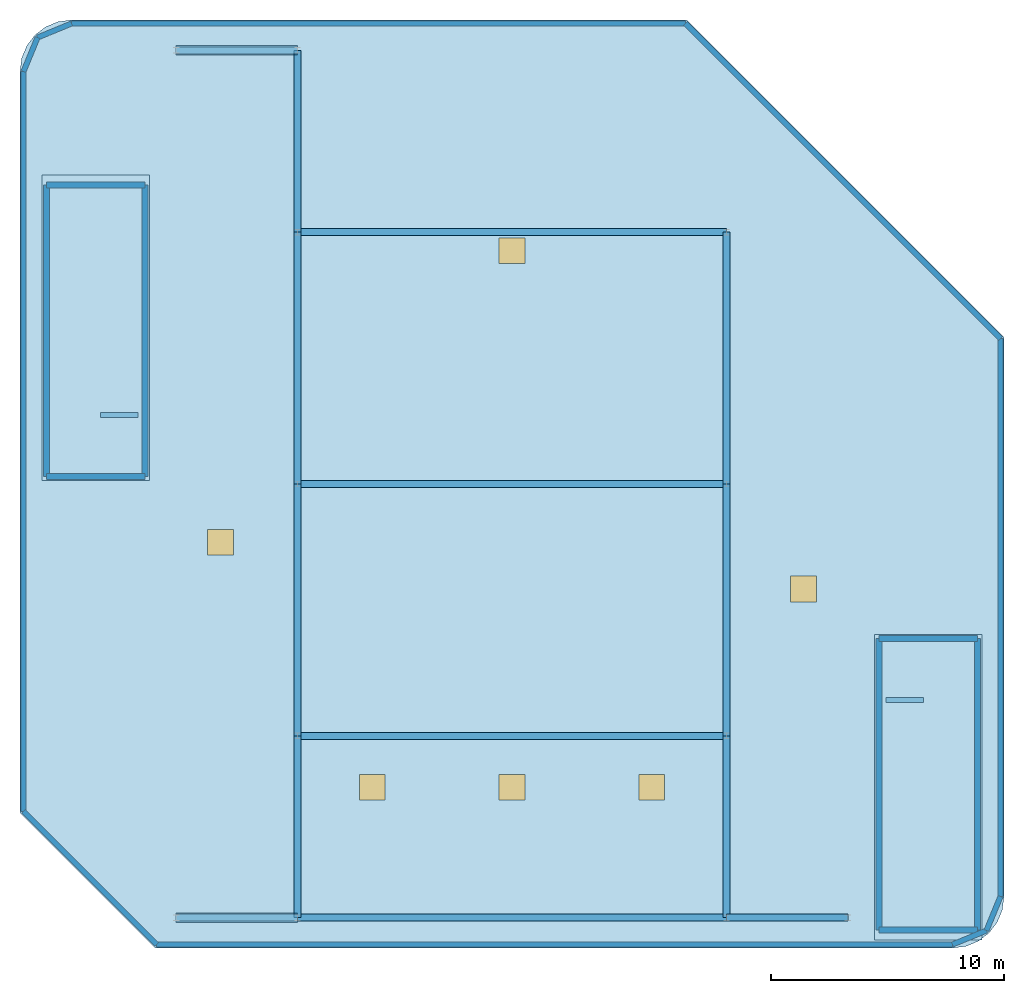
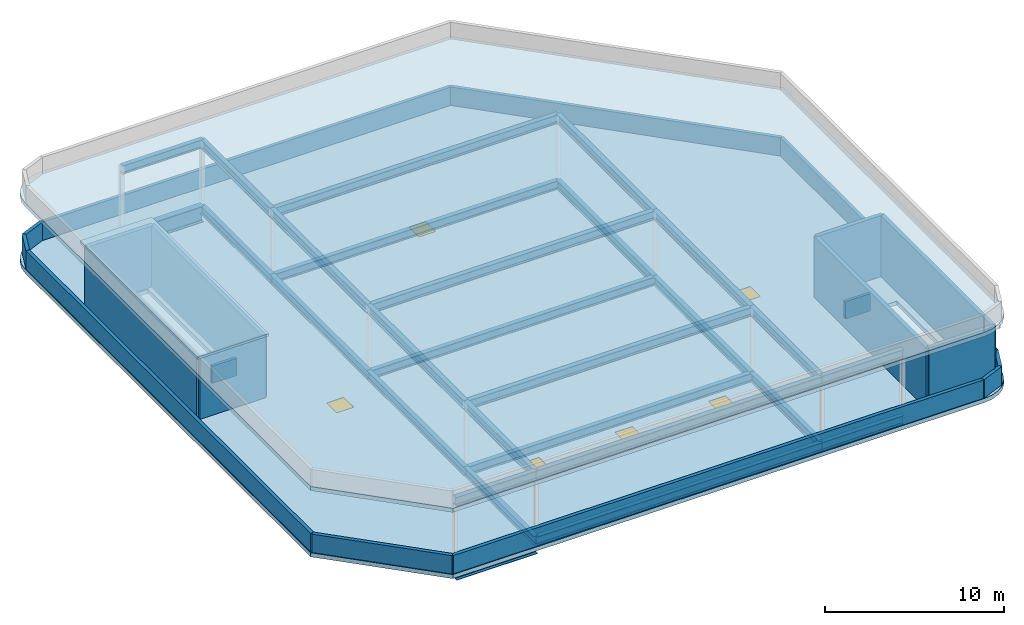
# One storey, part 5 of 6: 28 beams, 20 walls, 6 doors, 3 plates, 1 slab, 6 openings.
"""IFC4 building model written with IfcOpenShell, lengths in metres."""

from ifc_helpers import new_model, si_unit, direction, frame, frame_2d, origin, origin_2d, place, context, subcontext, project, spatial, polyline, rectangle, i_section, outline, extrude, material, layer, layer_set, material_profile, profile_set, type_object, element, fill, save


model = new_model("IFC4")

# Units and contexts
model_context = context("Model", 3, precision=1e-05, world=origin(), true_north=direction((0.0, 1.0)))
body_context = subcontext(model_context, "Body", "Model", "MODEL_VIEW")
ifc_project = project(units=[si_unit("LENGTHUNIT", "METRE"), si_unit("AREAUNIT", "SQUARE_METRE"), si_unit("VOLUMEUNIT", "CUBIC_METRE"), si_unit("PLANEANGLEUNIT", "RADIAN"), si_unit("MASSUNIT", "GRAM", prefix="KILO")], contexts=[model_context])

# Site, building, storey
site_placement = place(None, origin())
site = spatial("IfcSite", under=ifc_project, at=site_placement, CompositionType="ELEMENT")
building_placement = place(site_placement, origin())
building = spatial("IfcBuilding", under=site, at=building_placement, Name="Khairoan Windgate Tower", CompositionType="ELEMENT")
storey_placement = place(building_placement, frame((0.0, 0.0, 339.5)))
storey = spatial("IfcBuildingStorey", under=building, at=storey_placement, Name="L81", CompositionType="ELEMENT", Elevation=339.5)

# Beams
ifc_material_1 = material(Name="Steel S355", Category="steel")
ifc_material_profile_1 = material_profile(ifc_material_1, i_section(OverallWidth=0.300048828125, OverallDepth=0.587890625, WebThickness=0.011962890625, FlangeThickness=0.02001953125, FilletRadius=0.02392578125, at=origin_2d()))
ifc_profile_set_1 = profile_set([ifc_material_profile_1], Name="Steel S355")
beam_type_1 = type_object("IfcBeamType", Name="Beam B-G4 H588x300x12x20", PredefinedType="BEAM", material=ifc_profile_set_1)
for number, where, z_axis, x_axis, name in (
    (1, (-14.39990234375, -18.60009765625, 3.926025390625), (1.0, 0.0, 0.0), (0.0, 1.0, 0.0), "Sculpted Crown Frame Ring Girder L81-01"),
    (2, (-14.39990234375, 18.60009765625, 3.926025390625), (1.0, 0.0, 0.0), (0.0, 1.0, 0.0), "Sculpted Crown Frame Ring Girder L81-02"),
):
    element("IfcBeam", number, at=place(storey_placement, frame(where, z_axis=z_axis, x_axis=x_axis)), inside=storey, type_object=beam_type_1, Name=name, PredefinedType="BEAM", context=body_context, shape_type="SweptSolid", body=[
        extrude(i_section(OverallWidth=0.300048828125, OverallDepth=0.587890625, WebThickness=0.011962890625, FlangeThickness=0.02001953125, FilletRadius=0.02392578125, at=origin_2d()), origin(), (0.0, 0.0, 1.0), 5.199951171875),
    ])
for number, where, z_axis, x_axis, name in (
    (3, (-9.199951171875, -18.60009765625, -0.573974609375), (0.0, 1.0, 0.0), (-1.0, 0.0, 0.0), "Roof Deck Girder L81-03"),
    (4, (-9.199951171875, -18.60009765625, 3.926025390625), (0.0, 1.0, 0.0), (-1.0, 0.0, 0.0), "Sculpted Crown Frame Ring Girder L81-03"),
):
    element("IfcBeam", number, at=place(storey_placement, frame(where, z_axis=z_axis, x_axis=x_axis)), inside=storey, type_object=beam_type_1, Name=name, PredefinedType="BEAM", context=body_context, shape_type="SweptSolid", body=[
        extrude(i_section(OverallWidth=0.300048828125, OverallDepth=0.587890625, WebThickness=0.011962890625, FlangeThickness=0.02001953125, FilletRadius=0.02392578125, at=origin_2d()), origin(), (0.0, 0.0, 1.0), 7.800048828125),
    ])
for number, where, z_axis, x_axis, name in (
    (5, (-9.199951171875, -18.60009765625, -0.573974609375), (1.0, 0.0, 0.0), (0.0, 1.0, 0.0), "Roof Deck Girder L81-04"),
    (6, (-9.199951171875, -18.60009765625, 3.926025390625), (1.0, 0.0, 0.0), (0.0, 1.0, 0.0), "Sculpted Crown Frame Ring Girder L81-04"),
):
    element("IfcBeam", number, at=place(storey_placement, frame(where, z_axis=z_axis, x_axis=x_axis)), inside=storey, type_object=beam_type_1, Name=name, PredefinedType="BEAM", context=body_context, shape_type="SweptSolid", body=[
        extrude(i_section(OverallWidth=0.300048828125, OverallDepth=0.587890625, WebThickness=0.011962890625, FlangeThickness=0.02001953125, FilletRadius=0.02392578125, at=origin_2d()), origin(), (0.0, 0.0, 1.0), 18.39990234375),
    ])
for number, where, z_axis, x_axis, name in (
    (7, (-9.199951171875, -10.800048828125, -0.573974609375), (0.0, 1.0, 0.0), (-1.0, 0.0, 0.0), "Roof Deck Girder L81-05"),
    (8, (-9.199951171875, -10.800048828125, 3.926025390625), (0.0, 1.0, 0.0), (-1.0, 0.0, 0.0), "Sculpted Crown Frame Ring Girder L81-05"),
):
    element("IfcBeam", number, at=place(storey_placement, frame(where, z_axis=z_axis, x_axis=x_axis)), inside=storey, type_object=beam_type_1, Name=name, PredefinedType="BEAM", context=body_context, shape_type="SweptSolid", body=[
        extrude(i_section(OverallWidth=0.300048828125, OverallDepth=0.587890625, WebThickness=0.011962890625, FlangeThickness=0.02001953125, FilletRadius=0.02392578125, at=origin_2d()), origin(), (0.0, 0.0, 1.0), 10.800048828125),
    ])
for number, where, z_axis, x_axis, name in (
    (9, (-9.199951171875, -10.800048828125, -0.573974609375), (1.0, 0.0, 0.0), (0.0, 1.0, 0.0), "Roof Deck Girder L81-06"),
    (10, (-9.199951171875, -10.800048828125, 3.926025390625), (1.0, 0.0, 0.0), (0.0, 1.0, 0.0), "Sculpted Crown Frame Ring Girder L81-06"),
):
    element("IfcBeam", number, at=place(storey_placement, frame(where, z_axis=z_axis, x_axis=x_axis)), inside=storey, type_object=beam_type_1, Name=name, PredefinedType="BEAM", context=body_context, shape_type="SweptSolid", body=[
        extrude(i_section(OverallWidth=0.300048828125, OverallDepth=0.587890625, WebThickness=0.011962890625, FlangeThickness=0.02001953125, FilletRadius=0.02392578125, at=origin_2d()), origin(), (0.0, 0.0, 1.0), 18.39990234375),
    ])
for number, where, z_axis, x_axis, name in (
    (11, (-9.199951171875, 0.0, -0.573974609375), (0.0, 1.0, 0.0), (-1.0, 0.0, 0.0), "Roof Deck Girder L81-07"),
    (12, (-9.199951171875, 0.0, 3.926025390625), (0.0, 1.0, 0.0), (-1.0, 0.0, 0.0), "Sculpted Crown Frame Ring Girder L81-07"),
):
    element("IfcBeam", number, at=place(storey_placement, frame(where, z_axis=z_axis, x_axis=x_axis)), inside=storey, type_object=beam_type_1, Name=name, PredefinedType="BEAM", context=body_context, shape_type="SweptSolid", body=[
        extrude(i_section(OverallWidth=0.300048828125, OverallDepth=0.587890625, WebThickness=0.011962890625, FlangeThickness=0.02001953125, FilletRadius=0.02392578125, at=origin_2d()), origin(), (0.0, 0.0, 1.0), 10.800048828125),
    ])
for number, where, z_axis, x_axis, name in (
    (13, (-9.199951171875, 0.0, -0.573974609375), (1.0, 0.0, 0.0), (0.0, 1.0, 0.0), "Roof Deck Girder L81-08"),
    (14, (-9.199951171875, 0.0, 3.926025390625), (1.0, 0.0, 0.0), (0.0, 1.0, 0.0), "Sculpted Crown Frame Ring Girder L81-08"),
):
    element("IfcBeam", number, at=place(storey_placement, frame(where, z_axis=z_axis, x_axis=x_axis)), inside=storey, type_object=beam_type_1, Name=name, PredefinedType="BEAM", context=body_context, shape_type="SweptSolid", body=[
        extrude(i_section(OverallWidth=0.300048828125, OverallDepth=0.587890625, WebThickness=0.011962890625, FlangeThickness=0.02001953125, FilletRadius=0.02392578125, at=origin_2d()), origin(), (0.0, 0.0, 1.0), 18.39990234375),
    ])
for number, where, z_axis, x_axis, name in (
    (15, (-9.199951171875, 10.800048828125, -0.573974609375), (0.0, 1.0, 0.0), (-1.0, 0.0, 0.0), "Roof Deck Girder L81-09"),
    (16, (-9.199951171875, 10.800048828125, 3.926025390625), (0.0, 1.0, 0.0), (-1.0, 0.0, 0.0), "Sculpted Crown Frame Ring Girder L81-09"),
):
    element("IfcBeam", number, at=place(storey_placement, frame(where, z_axis=z_axis, x_axis=x_axis)), inside=storey, type_object=beam_type_1, Name=name, PredefinedType="BEAM", context=body_context, shape_type="SweptSolid", body=[
        extrude(i_section(OverallWidth=0.300048828125, OverallDepth=0.587890625, WebThickness=0.011962890625, FlangeThickness=0.02001953125, FilletRadius=0.02392578125, at=origin_2d()), origin(), (0.0, 0.0, 1.0), 7.800048828125),
    ])
for number, where, z_axis, x_axis, name in (
    (17, (-9.199951171875, 10.800048828125, -0.573974609375), (1.0, 0.0, 0.0), (0.0, 1.0, 0.0), "Roof Deck Girder L81-10"),
    (18, (-9.199951171875, 10.800048828125, 3.926025390625), (1.0, 0.0, 0.0), (0.0, 1.0, 0.0), "Sculpted Crown Frame Ring Girder L81-10"),
):
    element("IfcBeam", number, at=place(storey_placement, frame(where, z_axis=z_axis, x_axis=x_axis)), inside=storey, type_object=beam_type_1, Name=name, PredefinedType="BEAM", context=body_context, shape_type="SweptSolid", body=[
        extrude(i_section(OverallWidth=0.300048828125, OverallDepth=0.587890625, WebThickness=0.011962890625, FlangeThickness=0.02001953125, FilletRadius=0.02392578125, at=origin_2d()), origin(), (0.0, 0.0, 1.0), 18.39990234375),
    ])
for number, where, z_axis, x_axis, name in (
    (19, (9.199951171875, -18.60009765625, -0.573974609375), (0.0, 1.0, 0.0), (-1.0, 0.0, 0.0), "Roof Deck Girder L81-11"),
    (20, (9.199951171875, -18.60009765625, 3.926025390625), (0.0, 1.0, 0.0), (-1.0, 0.0, 0.0), "Sculpted Crown Frame Ring Girder L81-11"),
):
    element("IfcBeam", number, at=place(storey_placement, frame(where, z_axis=z_axis, x_axis=x_axis)), inside=storey, type_object=beam_type_1, Name=name, PredefinedType="BEAM", context=body_context, shape_type="SweptSolid", body=[
        extrude(i_section(OverallWidth=0.300048828125, OverallDepth=0.587890625, WebThickness=0.011962890625, FlangeThickness=0.02001953125, FilletRadius=0.02392578125, at=origin_2d()), origin(), (0.0, 0.0, 1.0), 7.800048828125),
    ])
for number, where, z_axis, x_axis, name in (
    (21, (9.199951171875, -18.60009765625, -0.573974609375), (1.0, 0.0, 0.0), (0.0, 1.0, 0.0), "Roof Deck Girder L81-12"),
    (22, (9.199951171875, -18.60009765625, 3.926025390625), (1.0, 0.0, 0.0), (0.0, 1.0, 0.0), "Sculpted Crown Frame Ring Girder L81-12"),
):
    element("IfcBeam", number, at=place(storey_placement, frame(where, z_axis=z_axis, x_axis=x_axis)), inside=storey, type_object=beam_type_1, Name=name, PredefinedType="BEAM", context=body_context, shape_type="SweptSolid", body=[
        extrude(i_section(OverallWidth=0.300048828125, OverallDepth=0.587890625, WebThickness=0.011962890625, FlangeThickness=0.02001953125, FilletRadius=0.02392578125, at=origin_2d()), origin(), (0.0, 0.0, 1.0), 5.199951171875),
    ])
for number, where, z_axis, x_axis, name in (
    (23, (9.199951171875, -10.800048828125, -0.573974609375), (0.0, 1.0, 0.0), (-1.0, 0.0, 0.0), "Roof Deck Girder L81-13"),
    (24, (9.199951171875, -10.800048828125, 3.926025390625), (0.0, 1.0, 0.0), (-1.0, 0.0, 0.0), "Sculpted Crown Frame Ring Girder L81-13"),
    (25, (9.199951171875, 0.0, -0.573974609375), (0.0, 1.0, 0.0), (-1.0, 0.0, 0.0), "Roof Deck Girder L81-14"),
    (26, (9.199951171875, 0.0, 3.926025390625), (0.0, 1.0, 0.0), (-1.0, 0.0, 0.0), "Sculpted Crown Frame Ring Girder L81-14"),
):
    element("IfcBeam", number, at=place(storey_placement, frame(where, z_axis=z_axis, x_axis=x_axis)), inside=storey, type_object=beam_type_1, Name=name, PredefinedType="BEAM", context=body_context, shape_type="SweptSolid", body=[
        extrude(i_section(OverallWidth=0.300048828125, OverallDepth=0.587890625, WebThickness=0.011962890625, FlangeThickness=0.02001953125, FilletRadius=0.02392578125, at=origin_2d()), origin(), (0.0, 0.0, 1.0), 10.800048828125),
    ])
ifc_material_2 = material(Name="Steel S355", Category="steel")
ifc_material_profile_2 = material_profile(ifc_material_2, i_section(OverallWidth=0.39990234375, OverallDepth=1.10009765625, WebThickness=0.02001953125, FlangeThickness=0.035888671875, FilletRadius=0.02392578125, at=origin_2d()))
ifc_profile_set_2 = profile_set([ifc_material_profile_2], Name="Steel S355")
beam_type_2 = type_object("IfcBeamType", Name="Crown Canopy Spine Girder CG1 PG1100x400x20x36", PredefinedType="BEAM", material=ifc_profile_set_2)
for number, where, z_axis, x_axis, name in (
    (27, (-14.39990234375, -18.60009765625, -0.830078125), (1.0, 0.0, 0.0), (0.0, 1.0, 0.0), "Roof Deck Girder L81-01"),
    (28, (-14.39990234375, 18.60009765625, -0.830078125), (1.0, 0.0, 0.0), (0.0, 1.0, 0.0), "Roof Deck Girder L81-02"),
):
    element("IfcBeam", number, at=place(storey_placement, frame(where, z_axis=z_axis, x_axis=x_axis)), inside=storey, type_object=beam_type_2, Name=name, PredefinedType="BEAM", context=body_context, shape_type="SweptSolid", body=[
        extrude(i_section(OverallWidth=0.39990234375, OverallDepth=1.10009765625, WebThickness=0.02001953125, FlangeThickness=0.035888671875, FilletRadius=0.02392578125, at=origin_2d()), origin(), (0.0, 0.0, 1.0), 5.199951171875),
    ])

# Slab, openings, doors
ifc_material_3 = material(Name="Concrete C40/50", Category="concrete")
ifc_layer_1 = layer(ifc_material_3, 0.280029296875, Name="Concrete C40/50")
ifc_layer_set_1 = layer_set([ifc_layer_1], Name="Concrete C40/50")
slab_type = type_object("IfcSlabType", Name="Crown Canopy Roof Slab RS2 280mm", PredefinedType="ROOF", material=ifc_layer_set_1)
slab_placement = place(storey_placement, frame((0.0, 0.0, -0.280029296875)))
slab = element("IfcSlab", 29, at=slab_placement, inside=storey, type_object=slab_type, Name="Crown Lookout Canopy Roof Slab", PredefinedType="ROOF", context=body_context, shape_type="SweptSolid", body=[
    extrude(outline(polyline([(18.89990234375, -19.89990234375), (19.469482421875, -19.824951171875), (20.0, -19.605224609375), (20.45556640625, -19.255615234375), (20.805419921875, -18.800048828125), (21.02490234375, -18.269287109375), (21.10009765625, -17.699951171875), (21.10009765625, 6.300048828125), (7.5, 19.89990234375), (-18.89990234375, 19.89990234375), (-19.469482421875, 19.824951171875), (-20.0, 19.605224609375), (-20.45556640625, 19.255615234375), (-20.805419921875, 18.800048828125), (-21.02490234375, 18.269287109375), (-21.10009765625, 17.699951171875), (-21.10009765625, -14.10009765625), (-15.300048828125, -19.89990234375), (18.89990234375, -19.89990234375)]), holes=[polyline([(16.14990234375, -9.260009765625), (16.14990234375, -18.89990234375), (19.419921875, -18.89990234375), (19.419921875, -9.260009765625), (16.14990234375, -9.260009765625)]), polyline([(-16.14990234375, 2.9599609375), (-16.14990234375, 12.60009765625), (-19.419921875, 12.60009765625), (-19.419921875, 2.9599609375), (-16.14990234375, 2.9599609375)])]), origin(), (0.0, 0.0, 1.0), 0.280029296875),
])
opening_1_placement = place(slab_placement, frame((12.5, -4.5, -0.010009765625)))
opening_1 = element("IfcOpeningElement", 30, at=opening_1_placement, cuts=slab, Name="Opening RHD1", PredefinedType="OPENING", context=body_context, shape_type="SweptSolid", body=[
    extrude(rectangle(XDim=1.10009765625, YDim=1.10009765625, at=origin_2d()), origin(), (0.0, 0.0, 1.0), 0.300048828125),
])
opening_2_placement = place(slab_placement, frame((-12.5, -2.5, -0.010009765625)))
opening_2 = element("IfcOpeningElement", 31, at=opening_2_placement, cuts=slab, Name="Opening RHD1", PredefinedType="OPENING", context=body_context, shape_type="SweptSolid", body=[
    extrude(rectangle(XDim=1.10009765625, YDim=1.10009765625, at=origin_2d()), origin(), (0.0, 0.0, 1.0), 0.300048828125),
])
opening_3_placement = place(slab_placement, frame((0.0, -13.0, -0.010009765625)))
opening_3 = element("IfcOpeningElement", 32, at=opening_3_placement, cuts=slab, Name="Opening RHD1", PredefinedType="OPENING", context=body_context, shape_type="SweptSolid", body=[
    extrude(rectangle(XDim=1.10009765625, YDim=1.10009765625, at=origin_2d()), origin(), (0.0, 0.0, 1.0), 0.300048828125),
])
opening_4_placement = place(slab_placement, frame((-6.0, -13.0, -0.010009765625)))
opening_4 = element("IfcOpeningElement", 33, at=opening_4_placement, cuts=slab, Name="Opening RHD1", PredefinedType="OPENING", context=body_context, shape_type="SweptSolid", body=[
    extrude(rectangle(XDim=1.10009765625, YDim=1.10009765625, at=origin_2d()), origin(), (0.0, 0.0, 1.0), 0.300048828125),
])
opening_5_placement = place(slab_placement, frame((6.0, -13.0, -0.010009765625)))
opening_5 = element("IfcOpeningElement", 34, at=opening_5_placement, cuts=slab, Name="Opening RHD1", PredefinedType="OPENING", context=body_context, shape_type="SweptSolid", body=[
    extrude(rectangle(XDim=1.10009765625, YDim=1.10009765625, at=origin_2d()), origin(), (0.0, 0.0, 1.0), 0.300048828125),
])
opening_6_placement = place(slab_placement, frame((0.0, 10.0, -0.010009765625)))
opening_6 = element("IfcOpeningElement", 35, at=opening_6_placement, cuts=slab, Name="Opening RHD1", PredefinedType="OPENING", context=body_context, shape_type="SweptSolid", body=[
    extrude(rectangle(XDim=1.10009765625, YDim=1.10009765625, at=origin_2d()), origin(), (0.0, 0.0, 1.0), 0.300048828125),
])
ifc_material_4 = material(Name="Steel S355", Category="steel")
door_type = type_object("IfcDoorType", Name="Roof Maintenance Access Hatch Door RHD-1", OperationType="SINGLE_SWING_LEFT", PredefinedType="TRAPDOOR", material=ifc_material_4)
door_1_placement = place(opening_1_placement, frame((0.0, 0.0, 0.25)))
door_1 = element("IfcDoor", 36, at=door_1_placement, inside=storey, type_object=door_type, Name="Roof Maintenance Access Hatch 01", OperationType="SINGLE_SWING_LEFT", OverallHeight=1.10009765625, OverallWidth=1.10009765625, PredefinedType="TRAPDOOR", context=body_context, shape_type="SweptSolid", body=[
    extrude(rectangle(XDim=1.10009765625, YDim=1.10009765625, at=origin_2d()), origin(), (0.0, 0.0, 1.0), 0.030029296875),
])
fill(opening_1, door_1)
door_2_placement = place(opening_2_placement, frame((0.0, 0.0, 0.25)))
door_2 = element("IfcDoor", 37, at=door_2_placement, inside=storey, type_object=door_type, Name="Roof Maintenance Access Hatch 02", OperationType="SINGLE_SWING_LEFT", OverallHeight=1.10009765625, OverallWidth=1.10009765625, PredefinedType="TRAPDOOR", context=body_context, shape_type="SweptSolid", body=[
    extrude(rectangle(XDim=1.10009765625, YDim=1.10009765625, at=origin_2d()), origin(), (0.0, 0.0, 1.0), 0.030029296875),
])
fill(opening_2, door_2)
door_3_placement = place(opening_3_placement, frame((0.0, 0.0, 0.25)))
door_3 = element("IfcDoor", 38, at=door_3_placement, inside=storey, type_object=door_type, Name="Roof Maintenance Access Hatch 03", OperationType="SINGLE_SWING_LEFT", OverallHeight=1.10009765625, OverallWidth=1.10009765625, PredefinedType="TRAPDOOR", context=body_context, shape_type="SweptSolid", body=[
    extrude(rectangle(XDim=1.10009765625, YDim=1.10009765625, at=origin_2d()), origin(), (0.0, 0.0, 1.0), 0.030029296875),
])
fill(opening_3, door_3)
door_4_placement = place(opening_4_placement, frame((0.0, 0.0, 0.25)))
door_4 = element("IfcDoor", 39, at=door_4_placement, inside=storey, type_object=door_type, Name="Roof Maintenance Access Hatch 04", OperationType="SINGLE_SWING_LEFT", OverallHeight=1.10009765625, OverallWidth=1.10009765625, PredefinedType="TRAPDOOR", context=body_context, shape_type="SweptSolid", body=[
    extrude(rectangle(XDim=1.10009765625, YDim=1.10009765625, at=origin_2d()), origin(), (0.0, 0.0, 1.0), 0.030029296875),
])
fill(opening_4, door_4)
door_5_placement = place(opening_5_placement, frame((0.0, 0.0, 0.25)))
door_5 = element("IfcDoor", 40, at=door_5_placement, inside=storey, type_object=door_type, Name="Roof Maintenance Access Hatch 05", OperationType="SINGLE_SWING_LEFT", OverallHeight=1.10009765625, OverallWidth=1.10009765625, PredefinedType="TRAPDOOR", context=body_context, shape_type="SweptSolid", body=[
    extrude(rectangle(XDim=1.10009765625, YDim=1.10009765625, at=origin_2d()), origin(), (0.0, 0.0, 1.0), 0.030029296875),
])
fill(opening_5, door_5)
door_6_placement = place(opening_6_placement, frame((0.0, 0.0, 0.25)))
door_6 = element("IfcDoor", 41, at=door_6_placement, inside=storey, type_object=door_type, Name="Roof Maintenance Access Hatch 06", OperationType="SINGLE_SWING_LEFT", OverallHeight=1.10009765625, OverallWidth=1.10009765625, PredefinedType="TRAPDOOR", context=body_context, shape_type="SweptSolid", body=[
    extrude(rectangle(XDim=1.10009765625, YDim=1.10009765625, at=origin_2d()), origin(), (0.0, 0.0, 1.0), 0.030029296875),
])
fill(opening_6, door_6)

# Plates
ifc_material_5 = material(Name="Steel S355", Category="steel")
ifc_layer_2 = layer(ifc_material_5, 0.031982421875, Name="Steel S355")
ifc_layer_set_2 = layer_set([ifc_layer_2], Name="Steel S355")
plate_type = type_object("IfcPlateType", Name="Outrigger Node Gusset Plate PL-GUS32", PredefinedType="SHEET", material=ifc_layer_set_2)
plate_1_placement = place(storey_placement, frame((0.0, 0.0, 4.14990234375)))
element("IfcPlate", 42, at=plate_1_placement, inside=storey, type_object=plate_type, Name="L81 ST1 Stair Headhouse Steel Hood Plate", PredefinedType="SHEET", context=body_context, shape_type="SweptSolid", body=[
    extrude(outline(polyline([(15.550048828125, -19.550048828125), (20.14990234375, -19.550048828125), (20.14990234375, -6.449951171875), (15.550048828125, -6.449951171875), (15.550048828125, -19.550048828125)])), origin(), (0.0, 0.0, 1.0), 0.170166015625),
])
plate_2_placement = place(storey_placement, frame((0.0, 0.0, 4.14990234375)))
element("IfcPlate", 43, at=plate_2_placement, inside=storey, type_object=plate_type, Name="L81 ST2 Stair Headhouse Steel Hood Plate", PredefinedType="SHEET", context=body_context, shape_type="SweptSolid", body=[
    extrude(outline(polyline([(-20.14990234375, 0.14990234375), (-15.550048828125, 0.14990234375), (-15.550048828125, 13.25), (-20.14990234375, 13.25), (-20.14990234375, 0.14990234375)])), origin(), (0.0, 0.0, 1.0), 0.170166015625),
])
plate_3_placement = place(storey_placement, frame((0.0, 0.0, 4.219970703125)))
element("IfcPlate", 44, at=plate_3_placement, inside=storey, type_object=plate_type, Name="Crown Architectural Steel Canopy Deck Plate", PredefinedType="SHEET", context=body_context, shape_type="SweptSolid", body=[
    extrude(outline(polyline([(18.89990234375, -19.89990234375), (19.469482421875, -19.824951171875), (20.0, -19.605224609375), (20.45556640625, -19.255615234375), (20.805419921875, -18.800048828125), (21.02490234375, -18.269287109375), (21.10009765625, -17.699951171875), (21.10009765625, 6.300048828125), (7.5, 19.89990234375), (-18.89990234375, 19.89990234375), (-19.469482421875, 19.824951171875), (-20.0, 19.605224609375), (-20.45556640625, 19.255615234375), (-20.805419921875, 18.800048828125), (-21.02490234375, 18.269287109375), (-21.10009765625, 17.699951171875), (-21.10009765625, -14.10009765625), (-15.300048828125, -19.89990234375), (18.89990234375, -19.89990234375)])), origin(), (0.0, 0.0, 1.0), 0.280029296875),
])

# Walls
ifc_material_6 = material(Name="Precast Concrete C40/50", Category="concrete")
ifc_layer_3 = layer(ifc_material_6, 0.260009765625, Name="Precast Concrete C40/50")
ifc_layer_set_3 = layer_set([ifc_layer_3], Name="Precast Concrete C40/50")
wall_type_1 = type_object("IfcWallType", Name="Insulated Tower Facade Wall EW2 260mm", PredefinedType="STANDARD", material=ifc_layer_set_3)
wall_1_placement = place(storey_placement, frame((15.72998046875, -19.1201171875, 0.0), z_axis=(0.0, 0.0, 1.0), x_axis=(1.0, 0.0, 0.0)))
element("IfcWall", 45, at=wall_1_placement, inside=storey, type_object=wall_type_1, Name="L81 ST1 Stair Headhouse Wall 1", PredefinedType="STANDARD", context=body_context, shape_type="SweptSolid", body=[
    extrude(rectangle(XDim=4.239990234375, YDim=0.260009765625, at=frame_2d((2.1201171875, 0.0))), origin(), (0.0, 0.0, 1.0), 4.14990234375),
])
wall_2_placement = place(storey_placement, frame((19.969970703125, -19.1201171875, 0.0), z_axis=(0.0, 0.0, 1.0), x_axis=(0.0, 1.0, 0.0)))
element("IfcWall", 46, at=wall_2_placement, inside=storey, type_object=wall_type_1, Name="L81 ST1 Stair Headhouse Wall 2", PredefinedType="STANDARD", context=body_context, shape_type="SweptSolid", body=[
    extrude(rectangle(XDim=12.490234375, YDim=0.260009765625, at=frame_2d((6.2451171875, 0.0))), origin(), (0.0, 0.0, 1.0), 4.14990234375),
])
wall_3_placement = place(storey_placement, frame((19.969970703125, -6.6298828125, 0.0), z_axis=(0.0, 0.0, 1.0), x_axis=(-1.0, 0.0, 0.0)))
element("IfcWall", 47, at=wall_3_placement, inside=storey, type_object=wall_type_1, Name="L81 ST1 Stair Headhouse Wall 3", PredefinedType="STANDARD", context=body_context, shape_type="SweptSolid", body=[
    extrude(rectangle(XDim=4.239990234375, YDim=0.260009765625, at=frame_2d((2.1201171875, 0.0))), origin(), (0.0, 0.0, 1.0), 4.14990234375),
])
wall_4_placement = place(storey_placement, frame((15.72998046875, -6.6298828125, 0.0), z_axis=(0.0, 0.0, 1.0), x_axis=(0.0, -1.0, 0.0)))
element("IfcWall", 48, at=wall_4_placement, inside=storey, type_object=wall_type_1, Name="L81 ST1 Stair Headhouse Wall 4", PredefinedType="STANDARD", context=body_context, shape_type="SweptSolid", body=[
    extrude(rectangle(XDim=12.490234375, YDim=0.260009765625, at=frame_2d((6.2451171875, 0.0))), origin(), (0.0, 0.0, 1.0), 4.14990234375),
])
wall_5_placement = place(storey_placement, frame((-19.969970703125, 0.330078125, 0.0), z_axis=(0.0, 0.0, 1.0), x_axis=(1.0, 0.0, 0.0)))
element("IfcWall", 49, at=wall_5_placement, inside=storey, type_object=wall_type_1, Name="L81 ST2 Stair Headhouse Wall 1", PredefinedType="STANDARD", context=body_context, shape_type="SweptSolid", body=[
    extrude(rectangle(XDim=4.239990234375, YDim=0.260009765625, at=frame_2d((2.1201171875, 0.0))), origin(), (0.0, 0.0, 1.0), 4.14990234375),
])
wall_6_placement = place(storey_placement, frame((-15.72998046875, 0.330078125, 0.0), z_axis=(0.0, 0.0, 1.0), x_axis=(0.0, 1.0, 0.0)))
element("IfcWall", 50, at=wall_6_placement, inside=storey, type_object=wall_type_1, Name="L81 ST2 Stair Headhouse Wall 2", PredefinedType="STANDARD", context=body_context, shape_type="SweptSolid", body=[
    extrude(rectangle(XDim=12.489990234375, YDim=0.260009765625, at=frame_2d((6.2451171875, 0.0))), origin(), (0.0, 0.0, 1.0), 4.14990234375),
])
wall_7_placement = place(storey_placement, frame((-15.72998046875, 12.820068359375, 0.0), z_axis=(0.0, 0.0, 1.0), x_axis=(-1.0, 0.0, 0.0)))
element("IfcWall", 51, at=wall_7_placement, inside=storey, type_object=wall_type_1, Name="L81 ST2 Stair Headhouse Wall 3", PredefinedType="STANDARD", context=body_context, shape_type="SweptSolid", body=[
    extrude(rectangle(XDim=4.239990234375, YDim=0.260009765625, at=frame_2d((2.1201171875, 0.0))), origin(), (0.0, 0.0, 1.0), 4.14990234375),
])
wall_8_placement = place(storey_placement, frame((-19.969970703125, 12.820068359375, 0.0), z_axis=(0.0, 0.0, 1.0), x_axis=(0.0, -1.0, 0.0)))
element("IfcWall", 52, at=wall_8_placement, inside=storey, type_object=wall_type_1, Name="L81 ST2 Stair Headhouse Wall 4", PredefinedType="STANDARD", context=body_context, shape_type="SweptSolid", body=[
    extrude(rectangle(XDim=12.489990234375, YDim=0.260009765625, at=frame_2d((6.2451171875, 0.0))), origin(), (0.0, 0.0, 1.0), 4.14990234375),
])
ifc_material_7 = material(Name="Precast Concrete C40/50", Category="concrete")
ifc_layer_4 = layer(ifc_material_7, 0.219970703125, Name="Precast Concrete C40/50")
ifc_layer_set_4 = layer_set([ifc_layer_4], Name="Precast Concrete C40/50")
wall_type_2 = type_object("IfcWallType", Name="Precast Roof and Terrace Parapet Wall", PredefinedType="PARAPET", material=ifc_layer_set_4)
for number, where, z_axis, x_axis, name in (
    (53, (16.050048828125, -9.260009765625, 0.0), (0.0, 0.0, 1.0), (1.0, 0.0, 0.0), "L81 Stair ST1 Well Guard Parapet"),
    (54, (-17.64990234375, 2.9599609375, 0.0), (0.0, 0.0, 1.0), (1.0, 0.0, 0.0), "L81 Stair ST2 Well Guard Parapet"),
):
    element("IfcWall", number, at=place(storey_placement, frame(where, z_axis=z_axis, x_axis=x_axis)), inside=storey, type_object=wall_type_2, Name=name, PredefinedType="PARAPET", context=body_context, shape_type="SweptSolid", body=[
        extrude(rectangle(XDim=1.599853515625, YDim=0.199951171875, at=frame_2d((0.7998046875, 0.0))), origin(), (0.0, 0.0, 1.0), 1.179931640625),
    ])
wall_9_placement = place(storey_placement, frame((18.89013671875, -19.75, 0.0), z_axis=(0.0, 0.0, 1.0), x_axis=(-1.0, 0.0, 0.0)))
element("IfcWall", 55, at=wall_9_placement, inside=storey, type_object=wall_type_2, Name="L81 Roof Deck Perimeter Parapet 00", PredefinedType="PARAPET", context=body_context, shape_type="SweptSolid", body=[
    extrude(rectangle(XDim=34.1279296875, YDim=0.219970703125, at=frame_2d((17.06396484375, 0.0))), origin(), (0.0, 0.0, 1.0), 1.25),
])
wall_10_placement = place(storey_placement, frame((-15.23779296875, -19.75, 0.0), z_axis=(0.0, 0.0, 1.0), x_axis=(-0.707106781187, 0.707106781187, 0.0)))
element("IfcWall", 56, at=wall_10_placement, inside=storey, type_object=wall_type_2, Name="L81 Roof Deck Perimeter Parapet 01", PredefinedType="PARAPET", context=body_context, shape_type="SweptSolid", body=[
    extrude(rectangle(XDim=8.078125, YDim=0.219970703125, at=frame_2d((4.0390625, 0.0))), origin(), (0.0, 0.0, 1.0), 1.25),
])
wall_11_placement = place(storey_placement, frame((-20.949951171875, -14.037841796875, 0.0), z_axis=(0.0, 0.0, 1.0), x_axis=(0.0, 1.0, 0.0)))
element("IfcWall", 57, at=wall_11_placement, inside=storey, type_object=wall_type_2, Name="L81 Roof Deck Perimeter Parapet 02", PredefinedType="PARAPET", context=body_context, shape_type="SweptSolid", body=[
    extrude(rectangle(XDim=31.72802734375, YDim=0.219970703125, at=frame_2d((15.864013671875, 0.0))), origin(), (0.0, 0.0, 1.0), 1.25),
])
for number, where, z_axis, x_axis, name in (
    (58, (-20.949951171875, 17.690185546875, 0.0), (0.0, 0.0, 1.0), (0.381162295536, 0.924508141912, 0.0), "L81 Roof Deck Perimeter Parapet 03"),
    (59, (-20.3486328125, 19.148681640625, 0.0), (0.0, 0.0, 1.0), (0.924508141912, 0.381162295536, 0.0), "L81 Roof Deck Perimeter Parapet 04"),
):
    element("IfcWall", number, at=place(storey_placement, frame(where, z_axis=z_axis, x_axis=x_axis)), inside=storey, type_object=wall_type_2, Name=name, PredefinedType="PARAPET", context=body_context, shape_type="SweptSolid", body=[
        extrude(rectangle(XDim=1.57763671875, YDim=0.219970703125, at=frame_2d((0.788818359375, 0.0))), origin(), (0.0, 0.0, 1.0), 1.25),
    ])
wall_12_placement = place(storey_placement, frame((-18.89013671875, 19.75, 0.0), z_axis=(0.0, 0.0, 1.0), x_axis=(1.0, 0.0, 0.0)))
element("IfcWall", 60, at=wall_12_placement, inside=storey, type_object=wall_type_2, Name="L81 Roof Deck Perimeter Parapet 05", PredefinedType="PARAPET", context=body_context, shape_type="SweptSolid", body=[
    extrude(rectangle(XDim=26.328125, YDim=0.219970703125, at=frame_2d((13.1640625, 0.0))), origin(), (0.0, 0.0, 1.0), 1.25),
])
wall_13_placement = place(storey_placement, frame((7.43798828125, 19.75, 0.0), z_axis=(0.0, 0.0, 1.0), x_axis=(0.707100393043, -0.707113169272, 0.0)))
element("IfcWall", 61, at=wall_13_placement, inside=storey, type_object=wall_type_2, Name="L81 Roof Deck Perimeter Parapet 06", PredefinedType="PARAPET", context=body_context, shape_type="SweptSolid", body=[
    extrude(rectangle(XDim=19.10888671875, YDim=0.219970703125, at=frame_2d((9.554443359375, 0.0))), origin(), (0.0, 0.0, 1.0), 1.25),
])
wall_14_placement = place(storey_placement, frame((20.949951171875, 6.23779296875, 0.0), z_axis=(0.0, 0.0, 1.0), x_axis=(0.0, -1.0, 0.0)))
element("IfcWall", 62, at=wall_14_placement, inside=storey, type_object=wall_type_2, Name="L81 Roof Deck Perimeter Parapet 07", PredefinedType="PARAPET", context=body_context, shape_type="SweptSolid", body=[
    extrude(rectangle(XDim=23.927978515625, YDim=0.219970703125, at=frame_2d((11.9638671875, 0.0))), origin(), (0.0, 0.0, 1.0), 1.25),
])
for number, where, z_axis, x_axis, name in (
    (63, (20.949951171875, -17.690185546875, 0.0), (0.0, 0.0, 1.0), (-0.381162295536, -0.924508141912, 0.0), "L81 Roof Deck Perimeter Parapet 08"),
    (64, (20.3486328125, -19.148681640625, 0.0), (0.0, 0.0, 1.0), (-0.924508141912, -0.381162295536, 0.0), "L81 Roof Deck Perimeter Parapet 09"),
):
    element("IfcWall", number, at=place(storey_placement, frame(where, z_axis=z_axis, x_axis=x_axis)), inside=storey, type_object=wall_type_2, Name=name, PredefinedType="PARAPET", context=body_context, shape_type="SweptSolid", body=[
        extrude(rectangle(XDim=1.57763671875, YDim=0.219970703125, at=frame_2d((0.788818359375, 0.0))), origin(), (0.0, 0.0, 1.0), 1.25),
    ])

save(model, "model.ifc")
